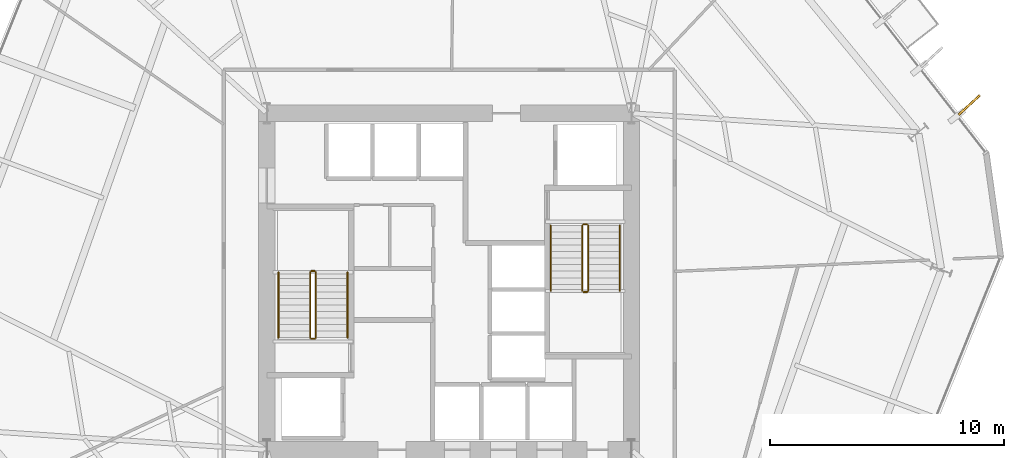
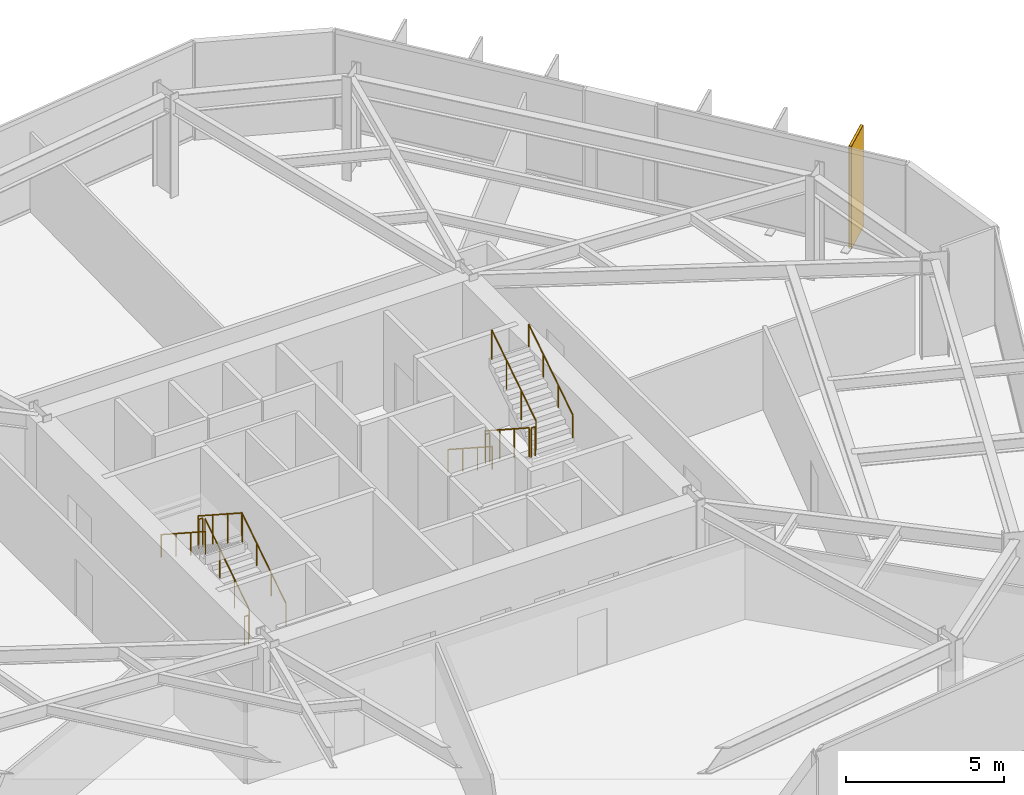
# One storey, part 9 of 10: 12 railings, 1 covering, 1 shading device.
"""IFC4 building model written with IfcOpenShell, lengths in metres."""

from ifc_helpers import new_model, si_unit, direction, frame, origin, origin_2d, place, context, subcontext, project, spatial, rectangle, circle, extrude, material, layer, layer_set, type_object, element, save


model = new_model("IFC4")

# Units and contexts
model_context = context("Model", 3, precision=1e-05, world=origin(), true_north=direction((0.0, 1.0)))
body_context = subcontext(model_context, "Body", "Model", "MODEL_VIEW")
ifc_project = project(units=[si_unit("LENGTHUNIT", "METRE"), si_unit("AREAUNIT", "SQUARE_METRE"), si_unit("VOLUMEUNIT", "CUBIC_METRE"), si_unit("PLANEANGLEUNIT", "RADIAN"), si_unit("MASSUNIT", "GRAM", prefix="KILO")], contexts=[model_context])

# Site, building, storey
site_placement = place(None, origin())
site = spatial("IfcSite", under=ifc_project, at=site_placement, CompositionType="ELEMENT")
building_placement = place(site_placement, origin())
building = spatial("IfcBuilding", under=site, at=building_placement, Name="Kranzbogen Civic Tower", CompositionType="ELEMENT")
storey_placement = place(building_placement, frame((0.0, 0.0, 52.0)))
storey = spatial("IfcBuildingStorey", under=building, at=storey_placement, Name="L12", CompositionType="ELEMENT", Elevation=52.0)

# Covering
ifc_material_1 = material(Name="Pale Anodised Aluminium", Category="aluminium")
ifc_layer = layer(ifc_material_1, 0.02490234375, Name="Pale Anodised Aluminium")
ifc_layer_set = layer_set([ifc_layer], Name="Pale Anodised Aluminium")
covering_type = type_object("IfcCoveringType", Name="Anodised Aluminium Vertical Fin Cladding 25 mm", PredefinedType="CLADDING", material=ifc_layer_set)
covering_placement = place(storey_placement, frame((47.25390625, 32.552001953125, -0.139892578125), z_axis=(0.0, 0.0, 1.0), x_axis=(0.736061644968, 0.676914510708, 0.0)))
element("IfcCovering", 1, at=covering_placement, inside=storey, type_object=covering_type, Name="L12 vertical fin pale-metal cladding F1-1", PredefinedType="CLADDING", context=body_context, shape_type="SweptSolid", body=[
    extrude(rectangle(XDim=1.25, YDim=0.10009765625, at=origin_2d()), origin(), (0.0, 0.0, 1.0), 3.9599609375),
])

# Shading device
ifc_material_2 = material(Name="Anodised Bronze Aluminium", Category="aluminium")
shading_device_type = type_object("IfcShadingDeviceType", Name="Anodised Bronze Vertical Facade Fin 1250x80", PredefinedType="USERDEFINED", material=ifc_material_2)
shading_device_placement = place(storey_placement, frame((47.25390625, 32.552001953125, -0.139892578125), z_axis=(0.0, 0.0, 1.0), x_axis=(0.736061644968, 0.676914510708, 0.0)))
element("IfcShadingDevice", 2, at=shading_device_placement, inside=storey, type_object=shading_device_type, Name="L12 vertical exterior shading fin F1-1", ObjectType="FIN", PredefinedType="USERDEFINED", context=body_context, shape_type="SweptSolid", body=[
    extrude(rectangle(XDim=1.25, YDim=0.080078125, at=origin_2d()), origin(), (0.0, 0.0, 1.0), 3.9599609375),
])

# Railings
ifc_material_3 = material(Name="Steel S355", Category="steel")
railing_type_1 = type_object("IfcRailingType", Name="Internal Stair and Void Steel Guardrail 1150", PredefinedType="GUARDRAIL", material=ifc_material_3)
railing_1_placement = place(storey_placement, frame((19.300048828125, 22.60009765625, 0.181884765625)))
element("IfcRailing", 3, at=railing_1_placement, inside=storey, type_object=railing_type_1, Name="L12 ST-T1 stair guard 1", PredefinedType="GUARDRAIL", context=body_context, shape_type="SweptSolid", body=[
    extrude(circle(Radius=0.02392578125, at=origin_2d()), frame((0.0, 0.0, 1.1259765625), z_axis=(0.0, 0.83868413941, 0.544618136222), x_axis=(-1.0, 0.0, 0.0)), (0.0, 0.0, 1.0), 3.33837890625),
    extrude(circle(Radius=0.02099609375, at=origin_2d()), origin(), (0.0, 0.0, 1.0), 1.101806640625),
    extrude(circle(Radius=0.02099609375, at=origin_2d()), frame((0.0, 0.933349609375, 0.60595703125)), (0.0, 0.0, 1.0), 1.101806640625),
    extrude(circle(Radius=0.02099609375, at=origin_2d()), frame((0.0, 1.866455078125, 1.212158203125)), (0.0, 0.0, 1.0), 1.101806640625),
    extrude(circle(Radius=0.02099609375, at=origin_2d()), frame((0.0, 2.7998046875, 1.818115234375)), (0.0, 0.0, 1.0), 1.101806640625),
])
railing_2_placement = place(storey_placement, frame((19.25, 25.449951171875, 2.0)))
element("IfcRailing", 4, at=railing_2_placement, inside=storey, type_object=railing_type_1, Name="L12 ST-T1 stair guard 2", PredefinedType="GUARDRAIL", context=body_context, shape_type="SweptSolid", body=[
    extrude(circle(Radius=0.02392578125, at=origin_2d()), frame((0.0, 0.0, 1.1259765625), z_axis=(-1.0, 0.0, 0.0), x_axis=(0.0, -1.0, 0.0)), (0.0, 0.0, 1.0), 0.14990234375),
    extrude(circle(Radius=0.02099609375, at=origin_2d()), origin(), (0.0, 0.0, 1.0), 1.101806640625),
    extrude(circle(Radius=0.02099609375, at=origin_2d()), frame((-0.14990234375, 0.0, 0.0)), (0.0, 0.0, 1.0), 1.101806640625),
])
railing_3_placement = place(storey_placement, frame((19.050048828125, 25.39990234375, 2.181884765625)))
element("IfcRailing", 5, at=railing_3_placement, inside=storey, type_object=railing_type_1, Name="L12 ST-T1 stair guard 3", PredefinedType="GUARDRAIL", context=body_context, shape_type="SweptSolid", body=[
    extrude(circle(Radius=0.02392578125, at=origin_2d()), frame((0.0, 0.0, 1.1259765625), z_axis=(0.0, -0.83868413941, 0.544618136222), x_axis=(1.0, 0.0, 0.0)), (0.0, 0.0, 1.0), 3.33837890625),
    extrude(circle(Radius=0.02099609375, at=origin_2d()), origin(), (0.0, 0.0, 1.0), 1.101806640625),
    extrude(circle(Radius=0.02099609375, at=origin_2d()), frame((0.0, -0.933349609375, 0.60595703125)), (0.0, 0.0, 1.0), 1.101806640625),
    extrude(circle(Radius=0.02099609375, at=origin_2d()), frame((0.0, -1.866455078125, 1.212158203125)), (0.0, 0.0, 1.0), 1.101806640625),
    extrude(circle(Radius=0.02099609375, at=origin_2d()), frame((0.0, -2.7998046875, 1.818115234375)), (0.0, 0.0, 1.0), 1.101806640625),
])
railing_4_placement = place(storey_placement, frame((19.25, 22.550048828125, 0.0)))
element("IfcRailing", 6, at=railing_4_placement, inside=storey, type_object=railing_type_1, Name="L12 ST-T1 stair guard 4", PredefinedType="GUARDRAIL", context=body_context, shape_type="SweptSolid", body=[
    extrude(circle(Radius=0.02392578125, at=origin_2d()), frame((0.0, 0.0, 1.1259765625), z_axis=(-1.0, 0.0, 0.0), x_axis=(0.0, -1.0, 0.0)), (0.0, 0.0, 1.0), 0.14990234375),
    extrude(circle(Radius=0.02099609375, at=origin_2d()), origin(), (0.0, 0.0, 1.0), 1.101806640625),
    extrude(circle(Radius=0.02099609375, at=origin_2d()), frame((-0.14990234375, 0.0, 0.0)), (0.0, 0.0, 1.0), 1.101806640625),
])
railing_5_placement = place(storey_placement, frame((30.699951171875, 27.39990234375, 0.181884765625)))
element("IfcRailing", 7, at=railing_5_placement, inside=storey, type_object=railing_type_1, Name="L12 ST-T2 stair guard 1", PredefinedType="GUARDRAIL", context=body_context, shape_type="SweptSolid", body=[
    extrude(circle(Radius=0.02392578125, at=origin_2d()), frame((0.0, 0.0, 1.1259765625), z_axis=(0.0, -0.83868413941, 0.544618136222), x_axis=(1.0, 0.0, 0.0)), (0.0, 0.0, 1.0), 3.33837890625),
    extrude(circle(Radius=0.02099609375, at=origin_2d()), origin(), (0.0, 0.0, 1.0), 1.101806640625),
    extrude(circle(Radius=0.02099609375, at=origin_2d()), frame((0.0, -0.933349609375, 0.60595703125)), (0.0, 0.0, 1.0), 1.101806640625),
    extrude(circle(Radius=0.02099609375, at=origin_2d()), frame((0.0, -1.866455078125, 1.212158203125)), (0.0, 0.0, 1.0), 1.101806640625),
    extrude(circle(Radius=0.02099609375, at=origin_2d()), frame((0.0, -2.7998046875, 1.818115234375)), (0.0, 0.0, 1.0), 1.101806640625),
])
railing_6_placement = place(storey_placement, frame((30.75, 24.550048828125, 2.0)))
element("IfcRailing", 8, at=railing_6_placement, inside=storey, type_object=railing_type_1, Name="L12 ST-T2 stair guard 2", PredefinedType="GUARDRAIL", context=body_context, shape_type="SweptSolid", body=[
    extrude(circle(Radius=0.02392578125, at=origin_2d()), frame((0.0, 0.0, 1.1259765625), z_axis=(1.0, 0.0, 0.0), x_axis=(0.0, 1.0, 0.0)), (0.0, 0.0, 1.0), 0.14990234375),
    extrude(circle(Radius=0.02099609375, at=origin_2d()), origin(), (0.0, 0.0, 1.0), 1.101806640625),
    extrude(circle(Radius=0.02099609375, at=origin_2d()), frame((0.14990234375, 0.0, 0.0)), (0.0, 0.0, 1.0), 1.101806640625),
])
railing_7_placement = place(storey_placement, frame((30.949951171875, 24.60009765625, 2.181884765625)))
element("IfcRailing", 9, at=railing_7_placement, inside=storey, type_object=railing_type_1, Name="L12 ST-T2 stair guard 3", PredefinedType="GUARDRAIL", context=body_context, shape_type="SweptSolid", body=[
    extrude(circle(Radius=0.02392578125, at=origin_2d()), frame((0.0, 0.0, 1.1259765625), z_axis=(0.0, 0.83868413941, 0.544618136222), x_axis=(-1.0, 0.0, 0.0)), (0.0, 0.0, 1.0), 3.33837890625),
    extrude(circle(Radius=0.02099609375, at=origin_2d()), origin(), (0.0, 0.0, 1.0), 1.101806640625),
    extrude(circle(Radius=0.02099609375, at=origin_2d()), frame((0.0, 0.933349609375, 0.60595703125)), (0.0, 0.0, 1.0), 1.101806640625),
    extrude(circle(Radius=0.02099609375, at=origin_2d()), frame((0.0, 1.866455078125, 1.212158203125)), (0.0, 0.0, 1.0), 1.101806640625),
    extrude(circle(Radius=0.02099609375, at=origin_2d()), frame((0.0, 2.7998046875, 1.818115234375)), (0.0, 0.0, 1.0), 1.101806640625),
])
railing_8_placement = place(storey_placement, frame((30.75, 27.449951171875, 0.0)))
element("IfcRailing", 10, at=railing_8_placement, inside=storey, type_object=railing_type_1, Name="L12 ST-T2 stair guard 4", PredefinedType="GUARDRAIL", context=body_context, shape_type="SweptSolid", body=[
    extrude(circle(Radius=0.02392578125, at=origin_2d()), frame((0.0, 0.0, 1.1259765625), z_axis=(1.0, 0.0, 0.0), x_axis=(0.0, 1.0, 0.0)), (0.0, 0.0, 1.0), 0.14990234375),
    extrude(circle(Radius=0.02099609375, at=origin_2d()), origin(), (0.0, 0.0, 1.0), 1.101806640625),
    extrude(circle(Radius=0.02099609375, at=origin_2d()), frame((0.14990234375, 0.0, 0.0)), (0.0, 0.0, 1.0), 1.101806640625),
])
railing_type_2 = type_object("IfcRailingType", Name="Tubular Stainless Stair Wall Handrail 900", PredefinedType="HANDRAIL", material=ifc_material_1)
railing_9_placement = place(storey_placement, frame((20.64990234375, 22.60009765625, 0.181884765625)))
element("IfcRailing", 11, at=railing_9_placement, inside=storey, type_object=railing_type_2, Name="L12 ST-T1 stair handrail 1", PredefinedType="HANDRAIL", context=body_context, shape_type="SweptSolid", body=[
    extrude(circle(Radius=0.02392578125, at=origin_2d()), frame((0.0, 0.0, 0.8759765625), z_axis=(0.0, 0.83868413941, 0.544618136222), x_axis=(-1.0, 0.0, 0.0)), (0.0, 0.0, 1.0), 3.33837890625),
    extrude(circle(Radius=0.02099609375, at=origin_2d()), origin(), (0.0, 0.0, 1.0), 0.851806640625),
    extrude(circle(Radius=0.02099609375, at=origin_2d()), frame((0.0, 0.933349609375, 0.60595703125)), (0.0, 0.0, 1.0), 0.851806640625),
    extrude(circle(Radius=0.02099609375, at=origin_2d()), frame((0.0, 1.866455078125, 1.212158203125)), (0.0, 0.0, 1.0), 0.851806640625),
    extrude(circle(Radius=0.02099609375, at=origin_2d()), frame((0.0, 2.7998046875, 1.818115234375)), (0.0, 0.0, 1.0), 0.851806640625),
])
for number, where, name in (
    (12, (17.699951171875, 25.39990234375, 2.181884765625), "L12 ST-T1 stair handrail 2"),
    (13, (29.35009765625, 27.39990234375, 0.181884765625), "L12 ST-T2 stair handrail 1"),
):
    element("IfcRailing", number, at=place(storey_placement, frame(where)), inside=storey, type_object=railing_type_2, Name=name, PredefinedType="HANDRAIL", context=body_context, shape_type="SweptSolid", body=[
        extrude(circle(Radius=0.02392578125, at=origin_2d()), frame((0.0, 0.0, 0.8759765625), z_axis=(0.0, -0.83868413941, 0.544618136222), x_axis=(1.0, 0.0, 0.0)), (0.0, 0.0, 1.0), 3.33837890625),
        extrude(circle(Radius=0.02099609375, at=origin_2d()), origin(), (0.0, 0.0, 1.0), 0.851806640625),
        extrude(circle(Radius=0.02099609375, at=origin_2d()), frame((0.0, -0.933349609375, 0.60595703125)), (0.0, 0.0, 1.0), 0.851806640625),
        extrude(circle(Radius=0.02099609375, at=origin_2d()), frame((0.0, -1.866455078125, 1.212158203125)), (0.0, 0.0, 1.0), 0.851806640625),
        extrude(circle(Radius=0.02099609375, at=origin_2d()), frame((0.0, -2.7998046875, 1.818115234375)), (0.0, 0.0, 1.0), 0.851806640625),
    ])
railing_10_placement = place(storey_placement, frame((32.300048828125, 24.60009765625, 2.181884765625)))
element("IfcRailing", 14, at=railing_10_placement, inside=storey, type_object=railing_type_2, Name="L12 ST-T2 stair handrail 2", PredefinedType="HANDRAIL", context=body_context, shape_type="SweptSolid", body=[
    extrude(circle(Radius=0.02392578125, at=origin_2d()), frame((0.0, 0.0, 0.8759765625), z_axis=(0.0, 0.83868413941, 0.544618136222), x_axis=(-1.0, 0.0, 0.0)), (0.0, 0.0, 1.0), 3.33837890625),
    extrude(circle(Radius=0.02099609375, at=origin_2d()), origin(), (0.0, 0.0, 1.0), 0.851806640625),
    extrude(circle(Radius=0.02099609375, at=origin_2d()), frame((0.0, 0.933349609375, 0.60595703125)), (0.0, 0.0, 1.0), 0.851806640625),
    extrude(circle(Radius=0.02099609375, at=origin_2d()), frame((0.0, 1.866455078125, 1.212158203125)), (0.0, 0.0, 1.0), 0.851806640625),
    extrude(circle(Radius=0.02099609375, at=origin_2d()), frame((0.0, 2.7998046875, 1.818115234375)), (0.0, 0.0, 1.0), 0.851806640625),
])

save(model, "model.ifc")
